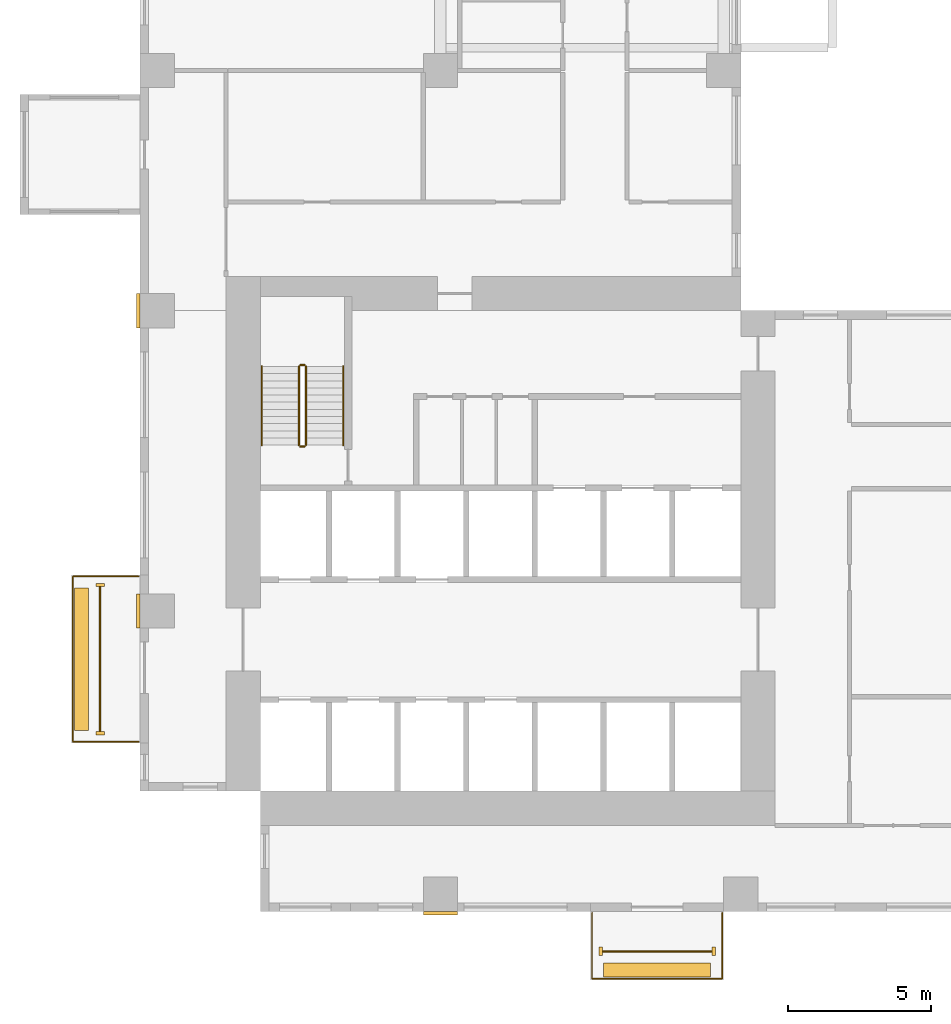
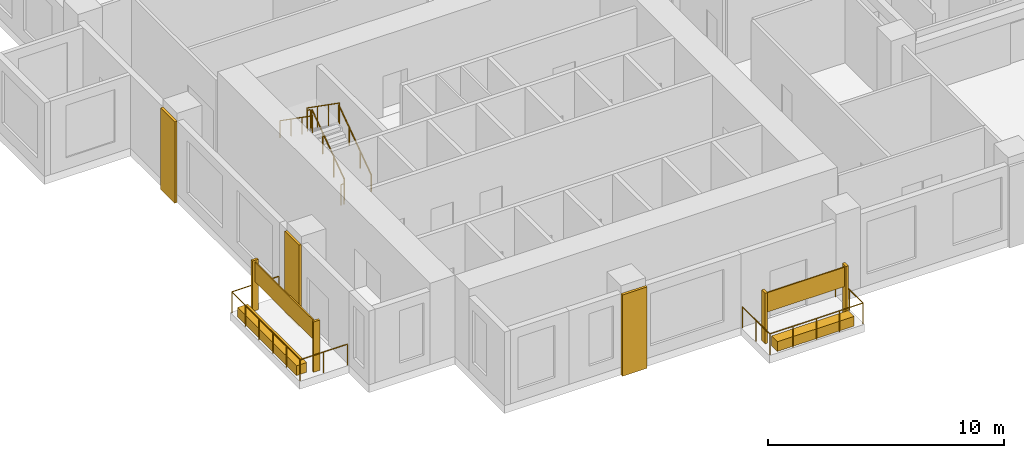
# One storey, part 11 of 14: 11 coverings, 8 railings.
"""IFC4 building model written with IfcOpenShell, lengths in metres."""

from ifc_helpers import new_model, si_unit, direction, frame, origin, origin_2d, place, context, subcontext, project, spatial, rectangle, circle, extrude, source, transform, mapped, material, type_object, element, save


model = new_model("IFC4")

# Units and contexts
model_context = context("Model", 3, precision=1e-05, world=origin(), true_north=direction((0.0, 1.0)))
body_context = subcontext(model_context, "Body", "Model", "MODEL_VIEW")
ifc_project = project(units=[si_unit("LENGTHUNIT", "METRE"), si_unit("AREAUNIT", "SQUARE_METRE"), si_unit("VOLUMEUNIT", "CUBIC_METRE"), si_unit("PLANEANGLEUNIT", "RADIAN"), si_unit("MASSUNIT", "GRAM", prefix="KILO")], contexts=[model_context])

# Site, building, storey
site_placement = place(None, origin())
site = spatial("IfcSite", under=ifc_project, at=site_placement, CompositionType="ELEMENT")
building_placement = place(site_placement, origin())
building = spatial("IfcBuilding", under=site, at=building_placement, Name="Aurelian Terraces", CompositionType="ELEMENT")
storey_placement = place(building_placement, frame((0.0, 0.0, 86.7)))
storey = spatial("IfcBuildingStorey", under=building, at=storey_placement, Name="L18", CompositionType="ELEMENT", Elevation=86.7)

# Coverings
ifc_material_1 = material(Name="Terracotta rainscreen cladding relief", Category="masonry")
covering_type_1 = type_object("IfcCoveringType", Name="FIN-TC", PredefinedType="CLADDING", material=ifc_material_1)
shared_shape_1 = source(origin(), body_context, "Body", "SweptSolid", [
    extrude(rectangle(XDim=0.3, YDim=0.12, at=origin_2d()), origin(), (0.0, 0.0, 1.0), 2.6),
])
for number, where, z_axis, x_axis, name in (
    (1, (-1.4, 11.41, 0.0), (0.0, 0.0, 1.0), (1.0, 0.0, 0.0), "FIN L18 L18-F12-32.1"),
    (2, (-1.4, 6.23, 0.0), (0.0, 0.0, 1.0), (1.0, 0.0, 0.0), "FIN L18 L18-F12-32.2"),
):
    element("IfcCovering", number, at=place(storey_placement, frame(where, z_axis=z_axis, x_axis=x_axis)), inside=storey, type_object=covering_type_1, Name=name, PredefinedType="CLADDING", context=body_context, shape_type="MappedRepresentation", body=[
        mapped(shared_shape_1, transform((0.0, 0.0, 0.0), scale=1.0)),
    ])
covering_type_2 = type_object("IfcCoveringType", Name="BAGUETTE-TC", PredefinedType="CLADDING", material=ifc_material_1)
shared_shape_2 = source(origin(), body_context, "Body", "SweptSolid", [
    extrude(rectangle(XDim=1.2, YDim=0.12, at=origin_2d()), origin(), (0.0, 0.0, 1.0), 4.2),
])
covering_1_placement = place(storey_placement, frame((10.5, -0.06, -0.4), z_axis=(0.0, 0.0, 1.0), x_axis=(1.0, 0.0, 0.0)))
element("IfcCovering", 3, at=covering_1_placement, inside=storey, type_object=covering_type_2, Name="BAGUETTE pier L18 1", PredefinedType="CLADDING", context=body_context, shape_type="MappedRepresentation", body=[
    mapped(shared_shape_2, transform((0.0, 0.0, 0.0), scale=1.0)),
])
shared_shape_3 = source(origin(), body_context, "Body", "SweptSolid", [
    extrude(rectangle(XDim=0.12, YDim=1.2, at=origin_2d()), origin(), (0.0, 0.0, 1.0), 4.2),
])
for number, where, z_axis, x_axis, name in (
    (4, (-0.06, 10.5, -0.4), (0.0, 0.0, 1.0), (1.0, 0.0, 0.0), "BAGUETTE pier L18 5"),
    (5, (-0.06, 21.0, -0.4), (0.0, 0.0, 1.0), (1.0, 0.0, 0.0), "BAGUETTE pier L18 9"),
):
    element("IfcCovering", number, at=place(storey_placement, frame(where, z_axis=z_axis, x_axis=x_axis)), inside=storey, type_object=covering_type_2, Name=name, PredefinedType="CLADDING", context=body_context, shape_type="MappedRepresentation", body=[
        mapped(shared_shape_3, transform((0.0, 0.0, 0.0), scale=1.0)),
    ])
shared_shape_4 = source(origin(), body_context, "Body", "SweptSolid", [
    extrude(rectangle(XDim=0.12, YDim=0.3, at=origin_2d()), origin(), (0.0, 0.0, 1.0), 2.6),
])
for number, where, z_axis, x_axis, name in (
    (6, (16.1, -1.4, 0.0), (0.0, 0.0, 1.0), (1.0, 0.0, 0.0), "FIN L18 L18-F01-04.1"),
    (7, (20.05, -1.4, 0.0), (0.0, 0.0, 1.0), (1.0, 0.0, 0.0), "FIN L18 L18-F01-04.2"),
):
    element("IfcCovering", number, at=place(storey_placement, frame(where, z_axis=z_axis, x_axis=x_axis)), inside=storey, type_object=covering_type_1, Name=name, PredefinedType="CLADDING", context=body_context, shape_type="MappedRepresentation", body=[
        mapped(shared_shape_4, transform((0.0, 0.0, 0.0), scale=1.0)),
    ])

# Railing
ifc_material_2 = material(Name="Anodised aluminium", Category="aluminium")
railing_type_1 = type_object("IfcRailingType", Name="GUARD-1100", PredefinedType="GUARDRAIL", material=ifc_material_2)
shared_shape_5 = source(origin(), body_context, "Body", "SweptSolid", [
    extrude(circle(Radius=0.024, at=origin_2d()), frame((0.0, 0.0, 1.076), z_axis=(-1.0, 0.0, 0.0), x_axis=(0.0, -1.0, 0.0)), (0.0, 0.0, 1.0), 2.3),
    extrude(circle(Radius=0.024, at=origin_2d()), frame((-2.3, 0.0, 1.076), z_axis=(0.0, -1.0, 0.0), x_axis=(1.0, 0.0, 0.0)), (0.0, 0.0, 1.0), 5.78),
    extrude(circle(Radius=0.024, at=origin_2d()), frame((-2.3, -5.78, 1.076), z_axis=(1.0, 0.0, 0.0), x_axis=(0.0, 1.0, 0.0)), (0.0, 0.0, 1.0), 2.3),
    extrude(circle(Radius=0.021, at=origin_2d()), origin(), (0.0, 0.0, 1.0), 1.052),
    extrude(circle(Radius=0.021, at=origin_2d()), frame((-1.15, 0.0, 0.0)), (0.0, 0.0, 1.0), 1.052),
    extrude(circle(Radius=0.021, at=origin_2d()), frame((-2.3, 0.0, 0.0)), (0.0, 0.0, 1.0), 1.052),
    extrude(circle(Radius=0.021, at=origin_2d()), frame((-2.3, -1.156, 0.0)), (0.0, 0.0, 1.0), 1.052),
    extrude(circle(Radius=0.021, at=origin_2d()), frame((-2.3, -2.312, 0.0)), (0.0, 0.0, 1.0), 1.052),
    extrude(circle(Radius=0.021, at=origin_2d()), frame((-2.3, -3.468, 0.0)), (0.0, 0.0, 1.0), 1.052),
    extrude(circle(Radius=0.021, at=origin_2d()), frame((-2.3, -4.624, 0.0)), (0.0, 0.0, 1.0), 1.052),
    extrude(circle(Radius=0.021, at=origin_2d()), frame((-2.3, -5.78, 0.0)), (0.0, 0.0, 1.0), 1.052),
    extrude(circle(Radius=0.021, at=origin_2d()), frame((-1.15, -5.78, 0.0)), (0.0, 0.0, 1.0), 1.052),
    extrude(circle(Radius=0.021, at=origin_2d()), frame((0.0, -5.78, 0.0)), (0.0, 0.0, 1.0), 1.052),
])
railing_1_placement = place(storey_placement, frame((-0.05, 11.71, 0.0)))
element("IfcRailing", 8, at=railing_1_placement, inside=storey, type_object=railing_type_1, Name="Balcony guard L18 F12.32", PredefinedType="GUARDRAIL", context=body_context, shape_type="MappedRepresentation", body=[
    mapped(shared_shape_5, transform((0.0, 0.0, 0.0), scale=1.0)),
])

# Coverings
ifc_material_3 = material(Name="Terracotta planter with planting soil", Category="masonry")
covering_type_3 = type_object("IfcCoveringType", Name="PLANTER-TROUGH", PredefinedType="USERDEFINED", material=ifc_material_3)
shared_shape_6 = source(origin(), body_context, "Body", "SweptSolid", [
    extrude(rectangle(XDim=0.5, YDim=4.98, at=origin_2d()), origin(), (0.0, 0.0, 1.0), 0.5),
])
covering_2_placement = place(storey_placement, frame((-2.05, 8.82, 0.0), z_axis=(0.0, 0.0, 1.0), x_axis=(1.0, 0.0, 0.0)))
element("IfcCovering", 9, at=covering_2_placement, inside=storey, type_object=covering_type_3, Name="PLANTER L18 L18-F12-32", ObjectType="PLANTER", PredefinedType="USERDEFINED", context=body_context, shape_type="MappedRepresentation", body=[
    mapped(shared_shape_6, transform((0.0, 0.0, 0.0), scale=1.0)),
])
ifc_material_4 = material(Name="Terracotta rainscreen cladding", Category="masonry")
covering_type_4 = type_object("IfcCoveringType", Name="SCREEN-TC", PredefinedType="CLADDING", material=ifc_material_4)
shared_shape_7 = source(origin(), body_context, "Body", "SweptSolid", [
    extrude(rectangle(XDim=0.06, YDim=5.06, at=origin_2d()), origin(), (0.0, 0.0, 1.0), 1.0),
])
covering_3_placement = place(storey_placement, frame((-1.4, 8.82, 1.5), z_axis=(0.0, 0.0, 1.0), x_axis=(1.0, 0.0, 0.0)))
element("IfcCovering", 10, at=covering_3_placement, inside=storey, type_object=covering_type_4, Name="SCREEN L18 L18-F12-32", PredefinedType="CLADDING", context=body_context, shape_type="MappedRepresentation", body=[
    mapped(shared_shape_7, transform((0.0, 0.0, 0.0), scale=1.0)),
])

# Railing
shared_shape_8 = source(origin(), body_context, "Body", "SweptSolid", [
    extrude(circle(Radius=0.024, at=origin_2d()), frame((0.0, 0.0, 1.076), z_axis=(0.0, -1.0, 0.0), x_axis=(1.0, 0.0, 0.0)), (0.0, 0.0, 1.0), 2.3),
    extrude(circle(Radius=0.024, at=origin_2d()), frame((0.0, -2.3, 1.076), z_axis=(1.0, 0.0, 0.0), x_axis=(0.0, 1.0, 0.0)), (0.0, 0.0, 1.0), 4.55),
    extrude(circle(Radius=0.024, at=origin_2d()), frame((4.55, -2.3, 1.076), z_axis=(0.0, 1.0, 0.0), x_axis=(-1.0, 0.0, 0.0)), (0.0, 0.0, 1.0), 2.3),
    extrude(circle(Radius=0.021, at=origin_2d()), origin(), (0.0, 0.0, 1.0), 1.052),
    extrude(circle(Radius=0.021, at=origin_2d()), frame((0.0, -1.15, 0.0)), (0.0, 0.0, 1.0), 1.052),
    extrude(circle(Radius=0.021, at=origin_2d()), frame((0.0, -2.3, 0.0)), (0.0, 0.0, 1.0), 1.052),
    extrude(circle(Radius=0.021, at=origin_2d()), frame((1.1375, -2.3, 0.0)), (0.0, 0.0, 1.0), 1.052),
    extrude(circle(Radius=0.021, at=origin_2d()), frame((2.275, -2.3, 0.0)), (0.0, 0.0, 1.0), 1.052),
    extrude(circle(Radius=0.021, at=origin_2d()), frame((3.4125, -2.3, 0.0)), (0.0, 0.0, 1.0), 1.052),
    extrude(circle(Radius=0.021, at=origin_2d()), frame((4.55, -2.3, 0.0)), (0.0, 0.0, 1.0), 1.052),
    extrude(circle(Radius=0.021, at=origin_2d()), frame((4.55, -1.15, 0.0)), (0.0, 0.0, 1.0), 1.052),
    extrude(circle(Radius=0.021, at=origin_2d()), frame((4.55, 0.0, 0.0)), (0.0, 0.0, 1.0), 1.052),
])
railing_2_placement = place(storey_placement, frame((15.8, -0.05, 0.0)))
element("IfcRailing", 11, at=railing_2_placement, inside=storey, type_object=railing_type_1, Name="Balcony guard L18 F01.4", PredefinedType="GUARDRAIL", context=body_context, shape_type="MappedRepresentation", body=[
    mapped(shared_shape_8, transform((0.0, 0.0, 0.0), scale=1.0)),
])

# Coverings
shared_shape_9 = source(origin(), body_context, "Body", "SweptSolid", [
    extrude(rectangle(XDim=3.75, YDim=0.5, at=origin_2d()), origin(), (0.0, 0.0, 1.0), 0.5),
])
covering_4_placement = place(storey_placement, frame((18.075, -2.05, 0.0), z_axis=(0.0, 0.0, 1.0), x_axis=(1.0, 0.0, 0.0)))
element("IfcCovering", 12, at=covering_4_placement, inside=storey, type_object=covering_type_3, Name="PLANTER L18 L18-F01-04", ObjectType="PLANTER", PredefinedType="USERDEFINED", context=body_context, shape_type="MappedRepresentation", body=[
    mapped(shared_shape_9, transform((0.0, 0.0, 0.0), scale=1.0)),
])
shared_shape_10 = source(origin(), body_context, "Body", "SweptSolid", [
    extrude(rectangle(XDim=3.83, YDim=0.06, at=origin_2d()), origin(), (0.0, 0.0, 1.0), 1.0),
])
covering_5_placement = place(storey_placement, frame((18.075, -1.4, 1.5), z_axis=(0.0, 0.0, 1.0), x_axis=(1.0, 0.0, 0.0)))
element("IfcCovering", 13, at=covering_5_placement, inside=storey, type_object=covering_type_4, Name="SCREEN L18 L18-F01-04", PredefinedType="CLADDING", context=body_context, shape_type="MappedRepresentation", body=[
    mapped(shared_shape_10, transform((0.0, 0.0, 0.0), scale=1.0)),
])

# Railings
ifc_material_5 = material(Name="Stainless steel", Category="steel")
railing_type_2 = type_object("IfcRailingType", Name="Stair guard 1100", PredefinedType="GUARDRAIL", material=ifc_material_5)
shared_shape_11 = source(origin(), body_context, "Body", "SweptSolid", [
    extrude(circle(Radius=0.024, at=origin_2d()), frame((0.0, 0.0, 1.076), z_axis=(-1.0, 0.0, 0.0), x_axis=(0.0, -1.0, 0.0)), (0.0, 0.0, 1.0), 0.15),
    extrude(circle(Radius=0.021, at=origin_2d()), origin(), (0.0, 0.0, 1.0), 1.052),
    extrude(circle(Radius=0.021, at=origin_2d()), frame((-0.15, 0.0, 0.0)), (0.0, 0.0, 1.0), 1.052),
])
for number, where, name in (
    (14, (5.75, 19.1, 2.1), "L18 S1 stair guard 2"),
    (15, (5.75, 16.25, 0.0), "L18 S1 stair guard 4"),
):
    element("IfcRailing", number, at=place(storey_placement, frame(where)), inside=storey, type_object=railing_type_2, Name=name, PredefinedType="GUARDRAIL", context=body_context, shape_type="MappedRepresentation", body=[
        mapped(shared_shape_11, transform((0.0, 0.0, 0.0), scale=1.0)),
    ])
shared_shape_12 = source(origin(), body_context, "Body", "SweptSolid", [
    extrude(circle(Radius=0.024, at=origin_2d()), frame((0.0, 0.0, 1.076), z_axis=(0.0, 0.819231920519, 0.573462344363), x_axis=(-1.0, 0.0, 0.0)), (0.0, 0.0, 1.0), 3.3568),
    extrude(circle(Radius=0.021, at=origin_2d()), origin(), (0.0, 0.0, 1.0), 1.052),
    extrude(circle(Radius=0.021, at=origin_2d()), frame((0.0, 0.9167, 0.6417)), (0.0, 0.0, 1.0), 1.052),
    extrude(circle(Radius=0.021, at=origin_2d()), frame((0.0, 1.8333, 1.2833)), (0.0, 0.0, 1.0), 1.052),
    extrude(circle(Radius=0.021, at=origin_2d()), frame((0.0, 2.75, 1.925)), (0.0, 0.0, 1.0), 1.052),
])
railing_3_placement = place(storey_placement, frame((5.8, 16.3, 0.175)))
element("IfcRailing", 16, at=railing_3_placement, inside=storey, type_object=railing_type_2, Name="L18 S1 stair guard 1", PredefinedType="GUARDRAIL", context=body_context, shape_type="MappedRepresentation", body=[
    mapped(shared_shape_12, transform((0.0, 0.0, 0.0), scale=1.0)),
])
shared_shape_13 = source(origin(), body_context, "Body", "SweptSolid", [
    extrude(circle(Radius=0.024, at=origin_2d()), frame((0.0, 0.0, 1.076), z_axis=(0.0, -0.819231920519, 0.573462344363), x_axis=(1.0, 0.0, 0.0)), (0.0, 0.0, 1.0), 3.3568),
    extrude(circle(Radius=0.021, at=origin_2d()), origin(), (0.0, 0.0, 1.0), 1.052),
    extrude(circle(Radius=0.021, at=origin_2d()), frame((0.0, -0.9167, 0.6417)), (0.0, 0.0, 1.0), 1.052),
    extrude(circle(Radius=0.021, at=origin_2d()), frame((0.0, -1.8333, 1.2833)), (0.0, 0.0, 1.0), 1.052),
    extrude(circle(Radius=0.021, at=origin_2d()), frame((0.0, -2.75, 1.925)), (0.0, 0.0, 1.0), 1.052),
])
railing_4_placement = place(storey_placement, frame((5.55, 19.05, 2.275)))
element("IfcRailing", 17, at=railing_4_placement, inside=storey, type_object=railing_type_2, Name="L18 S1 stair guard 3", PredefinedType="GUARDRAIL", context=body_context, shape_type="MappedRepresentation", body=[
    mapped(shared_shape_13, transform((0.0, 0.0, 0.0), scale=1.0)),
])
railing_type_3 = type_object("IfcRailingType", Name="Stair handrail", PredefinedType="HANDRAIL", material=ifc_material_5)
shared_shape_14 = source(origin(), body_context, "Body", "SweptSolid", [
    extrude(circle(Radius=0.024, at=origin_2d()), frame((0.0, 0.0, 0.876), z_axis=(0.0, 0.819231920519, 0.573462344363), x_axis=(-1.0, 0.0, 0.0)), (0.0, 0.0, 1.0), 3.3568),
    extrude(circle(Radius=0.021, at=origin_2d()), origin(), (0.0, 0.0, 1.0), 0.852),
    extrude(circle(Radius=0.021, at=origin_2d()), frame((0.0, 0.9167, 0.6417)), (0.0, 0.0, 1.0), 0.852),
    extrude(circle(Radius=0.021, at=origin_2d()), frame((0.0, 1.8333, 1.2833)), (0.0, 0.0, 1.0), 0.852),
    extrude(circle(Radius=0.021, at=origin_2d()), frame((0.0, 2.75, 1.925)), (0.0, 0.0, 1.0), 0.852),
])
railing_5_placement = place(storey_placement, frame((7.1, 16.3, 0.175)))
element("IfcRailing", 18, at=railing_5_placement, inside=storey, type_object=railing_type_3, Name="L18 S1 stair handrail 1", PredefinedType="HANDRAIL", context=body_context, shape_type="MappedRepresentation", body=[
    mapped(shared_shape_14, transform((0.0, 0.0, 0.0), scale=1.0)),
])
shared_shape_15 = source(origin(), body_context, "Body", "SweptSolid", [
    extrude(circle(Radius=0.024, at=origin_2d()), frame((0.0, 0.0, 0.876), z_axis=(0.0, -0.819231920519, 0.573462344363), x_axis=(1.0, 0.0, 0.0)), (0.0, 0.0, 1.0), 3.3568),
    extrude(circle(Radius=0.021, at=origin_2d()), origin(), (0.0, 0.0, 1.0), 0.852),
    extrude(circle(Radius=0.021, at=origin_2d()), frame((0.0, -0.9167, 0.6417)), (0.0, 0.0, 1.0), 0.852),
    extrude(circle(Radius=0.021, at=origin_2d()), frame((0.0, -1.8333, 1.2833)), (0.0, 0.0, 1.0), 0.852),
    extrude(circle(Radius=0.021, at=origin_2d()), frame((0.0, -2.75, 1.925)), (0.0, 0.0, 1.0), 0.852),
])
railing_6_placement = place(storey_placement, frame((4.25, 19.05, 2.275)))
element("IfcRailing", 19, at=railing_6_placement, inside=storey, type_object=railing_type_3, Name="L18 S1 stair handrail 2", PredefinedType="HANDRAIL", context=body_context, shape_type="MappedRepresentation", body=[
    mapped(shared_shape_15, transform((0.0, 0.0, 0.0), scale=1.0)),
])

save(model, "model.ifc")
